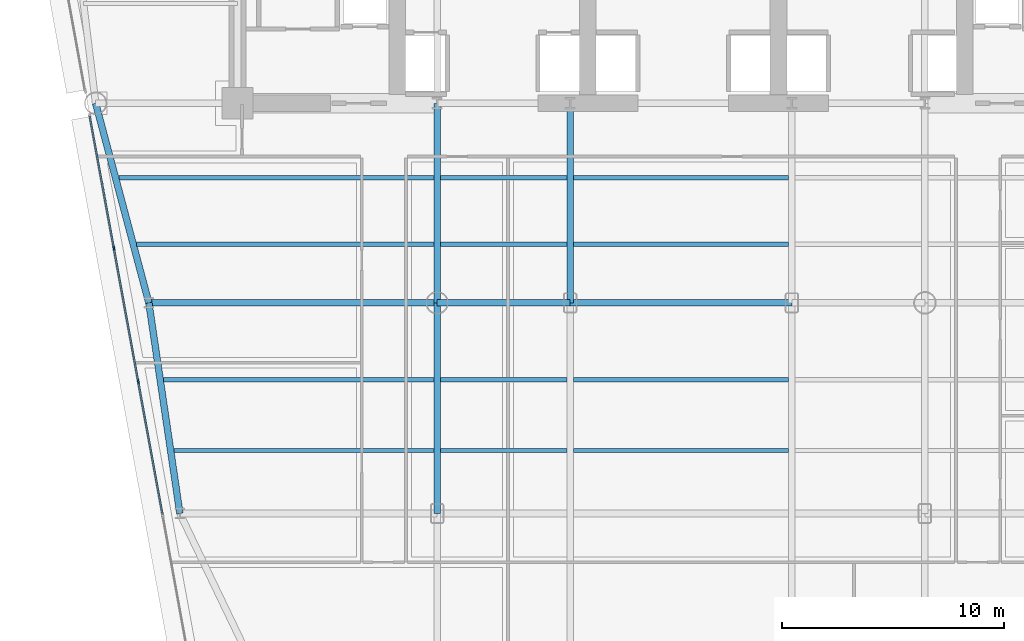
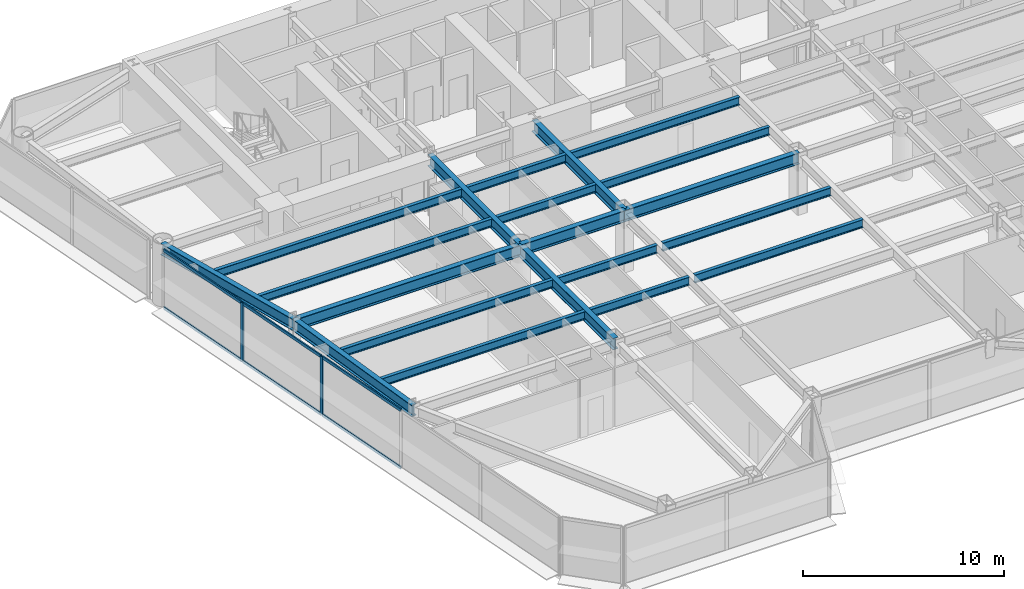
# One storey, part 3 of 14: 20 beams, 8 members, 1 element without a shape of its own.
"""IFC4 building model written with IfcOpenShell, lengths in metres."""

import ifcopenshell
import ifcopenshell.guid

model = None  # the IFC model being written
_history = None  # IfcOwnerHistory: only IFC2X3 demands one
_inside = {}  # id of a spatial element -> (the spatial element, [elements in it])
_under = {}  # id of a project, library or spatial element -> (it, [spatial elements below it])
_declared = {}  # id of a project -> (the project, [libraries it declares])
_typed = {}  # id of a type object -> (the type object, [elements of that type])
_made_of = {}  # id of a material, layer set ... -> (it, [elements and type objects made of it])


def new_model(schema):
    """Start an empty IFC model of exactly this schema.

    Asked for "IFC4X3", IfcOpenShell would pick the latest addendum, in which some entities
    have other attributes; the version numbers below select the first issue.
    IFC2X3 requires an IfcOwnerHistory on every rooted entity: one is made here for all.
    """
    global model, _history
    if schema == "IFC4X3":
        model = ifcopenshell.file(schema_version=(4, 3, 0, 0))
    else:
        model = ifcopenshell.file(schema=schema)
    _inside.clear()
    _under.clear()
    _declared.clear()
    _typed.clear()
    _made_of.clear()
    _history = None
    if model.schema == "IFC2X3":
        org = make("IfcOrganization", Name="unknown")
        user = make(
            "IfcPersonAndOrganization",
            ThePerson=make("IfcPerson", FamilyName="unknown"),
            TheOrganization=org,
        )
        app = make(
            "IfcApplication",
            ApplicationDeveloper=org,
            Version="unknown",
            ApplicationFullName="unknown",
            ApplicationIdentifier="unknown",
        )
        _history = make(
            "IfcOwnerHistory",
            OwningUser=user,
            OwningApplication=app,
            ChangeAction="ADDED",
            CreationDate=0,
        )
    return model


def make(cls, **values):
    """One entity of the class cls with the attributes given. An attribute that is None is left unset."""
    return model.create_entity(
        cls, **{name: value for name, value in values.items() if value is not None}
    )


def rooted(cls, **values):
    """An entity with a GlobalId (a new one), such as an element, a storey or a relation."""
    return make(cls, GlobalId=ifcopenshell.guid.new(), OwnerHistory=_history, **values)


def si_unit(unit_type, name, prefix=None):
    """IfcSIUnit, for example si_unit("LENGTHUNIT", "METRE", prefix="MILLI")."""
    return make("IfcSIUnit", UnitType=unit_type, Prefix=prefix, Name=name)


def assignment(units):
    """IfcUnitAssignment: the units of a project."""
    return None if units is None else make("IfcUnitAssignment", Units=units)


def point(xyz):
    """IfcCartesianPoint."""
    return None if xyz is None else make("IfcCartesianPoint", Coordinates=xyz)


def direction(xyz):
    """IfcDirection."""
    return None if xyz is None else make("IfcDirection", DirectionRatios=xyz)


def frame(location, z_axis=None, x_axis=None):
    """IfcAxis2Placement3D, a coordinate frame: its origin and axes. An axis left out is left unset."""
    return make(
        "IfcAxis2Placement3D",
        Location=point(location),
        Axis=direction(z_axis),
        RefDirection=direction(x_axis),
    )


def frame_2d(location, x_axis=None):
    """IfcAxis2Placement2D, a coordinate frame in the plane: its origin and x axis."""
    return make(
        "IfcAxis2Placement2D", Location=point(location), RefDirection=direction(x_axis)
    )


def origin():
    """The frame at (0, 0, 0) with its axes left unset."""
    return frame((0.0, 0.0, 0.0))


def origin_2d():
    """The frame at (0, 0) in the plane with its x axis left unset."""
    return frame_2d((0.0, 0.0))


def place(relative_to, where):
    """IfcLocalPlacement: puts the frame where relative to a parent placement (None: the world)."""
    return make(
        "IfcLocalPlacement", PlacementRelTo=relative_to, RelativePlacement=where
    )


def context(
    kind, dimensions, precision=None, world=None, true_north=None, identifier=None
):
    """IfcGeometricRepresentationContext, for example the 3D "Model" context."""
    return make(
        "IfcGeometricRepresentationContext",
        ContextIdentifier=identifier,
        ContextType=kind,
        CoordinateSpaceDimension=dimensions,
        Precision=precision,
        WorldCoordinateSystem=world,
        TrueNorth=true_north,
    )


def subcontext(parent, identifier, kind, view, scale=None):
    """IfcGeometricRepresentationSubContext, for example "Body" below "Model"."""
    return make(
        "IfcGeometricRepresentationSubContext",
        ContextIdentifier=identifier,
        ContextType=kind,
        ParentContext=parent,
        TargetScale=scale,
        TargetView=view,
    )


def project(units=None, contexts=None):
    """IfcProject with its units and contexts."""
    return rooted(
        "IfcProject",
        Name="project",
        RepresentationContexts=contexts,
        UnitsInContext=assignment(units),
    )


def spatial(cls, under=None, at=None, **own):
    """A site, building, storey or space (cls), placed at a placement, below another one or the project."""
    s = rooted(cls, ObjectPlacement=at, **own)
    if under is not None:
        _under.setdefault(under.id(), (under, []))[1].append(s)
    return s


def profile(cls, at=None, kind="AREA", **sizes):
    """A parametric profile (cls). Its sizes go by their IFC names, for example OverallWidth=200.0."""
    return make(cls, ProfileType=kind, Position=at, **sizes)


def rectangle(**sizes):
    """IfcRectangleProfileDef."""
    return profile("IfcRectangleProfileDef", **sizes)


def i_section(**sizes):
    """IfcIShapeProfileDef."""
    return profile("IfcIShapeProfileDef", **sizes)


def extrude(swept, where, along, depth):
    """IfcExtrudedAreaSolid: the profile swept, set in the frame where, extruded along a direction by depth."""
    return make(
        "IfcExtrudedAreaSolid",
        SweptArea=swept,
        Position=where,
        ExtrudedDirection=direction(along),
        Depth=depth,
    )


def shape(context_of_items, identifier, shape_type, items):
    """IfcShapeRepresentation: the items that make up one representation, for example the "Body"."""
    return make(
        "IfcShapeRepresentation",
        ContextOfItems=context_of_items,
        RepresentationIdentifier=identifier,
        RepresentationType=shape_type,
        Items=items,
    )


def source(mapping_origin, context_of_items, identifier, shape_type, items):
    """IfcRepresentationMap: a shape defined once, which mapped items show again and again."""
    return make(
        "IfcRepresentationMap",
        MappingOrigin=mapping_origin,
        MappedRepresentation=shape(context_of_items, identifier, shape_type, items),
    )


def transform(
    local_origin,
    x_axis=None,
    y_axis=None,
    z_axis=None,
    scale=None,
    scale2=None,
    scale3=None,
    uniform=True,
):
    """IfcCartesianTransformationOperator3D, or its non-uniform kind. x_axis, y_axis, z_axis: its Axis1, 2, 3."""
    if uniform:
        return make(
            "IfcCartesianTransformationOperator3D",
            Axis1=direction(x_axis),
            Axis2=direction(y_axis),
            LocalOrigin=point(local_origin),
            Scale=scale,
            Axis3=direction(z_axis),
        )
    return make(
        "IfcCartesianTransformationOperator3DnonUniform",
        Axis1=direction(x_axis),
        Axis2=direction(y_axis),
        LocalOrigin=point(local_origin),
        Scale=scale,
        Axis3=direction(z_axis),
        Scale2=scale2,
        Scale3=scale3,
    )


def mapped(mapping_source, mapping_target):
    """IfcMappedItem: shows the shape of a source again, moved by a transform."""
    return make(
        "IfcMappedItem", MappingSource=mapping_source, MappingTarget=mapping_target
    )


def material(Name=None, Category=None):
    """IfcMaterial."""
    return make("IfcMaterial", Name=Name, Category=Category)


def layer(
    of_material, thickness, ventilated=None, Name=None, Category=None, Priority=None
):
    """IfcMaterialLayer: one layer of a wall or slab, of a material (None: an air gap)."""
    return make(
        "IfcMaterialLayer",
        Material=of_material,
        LayerThickness=thickness,
        IsVentilated=ventilated,
        Name=Name,
        Category=Category,
        Priority=Priority,
    )


def layer_set(layers, Name=None):
    """IfcMaterialLayerSet."""
    return make("IfcMaterialLayerSet", MaterialLayers=layers, LayerSetName=Name)


def material_profile(
    of_material, cross_section, Name=None, Category=None, Priority=None
):
    """IfcMaterialProfile: a cross section and its material."""
    return make(
        "IfcMaterialProfile",
        Name=Name,
        Material=of_material,
        Profile=cross_section,
        Priority=Priority,
        Category=Category,
    )


def profile_set(profiles, Name=None, composite=None):
    """IfcMaterialProfileSet."""
    return make(
        "IfcMaterialProfileSet",
        Name=Name,
        MaterialProfiles=profiles,
        CompositeProfile=composite,
    )


def made_of(thing, what):
    """Note that an element or type object is made of a material, layer set ...; save() writes the relation."""
    if what is not None:
        _made_of.setdefault(what.id(), (what, []))[1].append(thing)
    return thing


def type_object(cls, material=None, **own):
    """A type object (cls), such as IfcWallType, which elements share."""
    return made_of(rooted(cls, **own), material)


def element(
    cls,
    number,
    at=None,
    inside=None,
    cuts=None,
    type_object=None,
    material=None,
    context=None,
    identifier="Body",
    shape_type=None,
    held_by="IfcProductDefinitionShape",
    body=None,
    shapes=None,
    **own,
):
    """One element of the class cls, such as IfcWall. Its Tag is "e" and its number.

    at: its placement. inside: the storey or other place that contains it. cuts: it is an
    opening in that element (IfcRelVoidsElement). A single representation is given by context,
    identifier, shape_type and body (its items); several are given by shapes. held_by: the class
    of the entity that holds the representations. save() writes the other relations.
    """
    e = rooted(cls, Tag="e%d" % number, ObjectPlacement=at, **own)
    if body is not None:
        shapes = [shape(context, identifier, shape_type, body)]
    if shapes is not None:
        e.Representation = make(held_by, Representations=shapes)
    if inside is not None:
        _inside.setdefault(inside.id(), (inside, []))[1].append(e)
    if cuts is not None:
        rooted(
            "IfcRelVoidsElement", RelatingBuildingElement=cuts, RelatedOpeningElement=e
        )
    if type_object is not None:
        _typed.setdefault(type_object.id(), (type_object, []))[1].append(e)
    return made_of(e, material)


def aggregate(whole, parts):
    """IfcRelAggregates: a whole, such as a stair, and the parts it consists of."""
    return rooted("IfcRelAggregates", RelatingObject=whole, RelatedObjects=parts)


def save(model, path):
    """Write the relations noted so far, then the file.

    IfcRelAggregates (storeys below a building ...), IfcRelContainedInSpatialStructure (elements
    in a storey), IfcRelDefinesByType, IfcRelAssociatesMaterial and IfcRelDeclares: one each for
    every whole, place, type object, material and project.
    """
    for whole, parts in _under.values():
        aggregate(whole, parts)
    for where, things in _inside.values():
        rooted(
            "IfcRelContainedInSpatialStructure",
            RelatedElements=things,
            RelatingStructure=where,
        )
    for kind, things in _typed.values():
        rooted("IfcRelDefinesByType", RelatedObjects=things, RelatingType=kind)
    for what, things in _made_of.values():
        rooted("IfcRelAssociatesMaterial", RelatedObjects=things, RelatingMaterial=what)
    for by, libraries in _declared.values():
        rooted("IfcRelDeclares", RelatingContext=by, RelatedDefinitions=libraries)
    model.write(path)


model = new_model("IFC4")

# Units and contexts
model_context = context("Model", 3, precision=1e-05, world=origin(), true_north=direction((0.0, 1.0)))
body_context = subcontext(model_context, "Body", "Model", "MODEL_VIEW")
ifc_project = project(units=[si_unit("LENGTHUNIT", "METRE"), si_unit("AREAUNIT", "SQUARE_METRE"), si_unit("VOLUMEUNIT", "CUBIC_METRE"), si_unit("PLANEANGLEUNIT", "RADIAN"), si_unit("MASSUNIT", "GRAM", prefix="KILO")], contexts=[model_context])

# Site, building, storey
site_placement = place(None, origin())
site = spatial("IfcSite", under=ifc_project, at=site_placement, CompositionType="ELEMENT")
building_placement = place(site_placement, origin())
building = spatial("IfcBuilding", under=site, at=building_placement, Name="Vaeldorn Concourse Tower", CompositionType="ELEMENT")
storey_placement = place(building_placement, frame((0.0, 0.0, 88.199951171875)))
storey = spatial("IfcBuildingStorey", under=building, at=storey_placement, Name="L22", CompositionType="ELEMENT", Elevation=88.199951171875)

# Beams
ifc_material_1 = material(Name="Steel S355", Category="steel")
ifc_material_profile_1 = material_profile(ifc_material_1, i_section(OverallWidth=0.199951171875, OverallDepth=0.5, WebThickness=0.01025390625, FlangeThickness=0.01611328125, FilletRadius=0.02099609375, at=origin_2d()), Name="IPE 500")
ifc_profile_set_1 = profile_set([ifc_material_profile_1], Name="Steel S355")
beam_type_1 = type_object("IfcBeamType", Name="BM-JS-IPE500", PredefinedType="JOIST", material=ifc_profile_set_1)
shared_shape_1 = source(origin(), body_context, "Body", "SweptSolid", [
    extrude(i_section(OverallWidth=0.199951171875, OverallDepth=0.5, WebThickness=0.01025390625, FlangeThickness=0.01611328125, FilletRadius=0.02099609375, at=origin_2d()), origin(), (0.0, 0.0, 1.0), 5.7001953125),
])
for number, where, z_axis, x_axis, name in (
    (1, (23.14990234375, 20.840087890625, 3.330078125), (1.0, 0.0, 0.0), (0.0, 1.0, 0.0), "Beam JS-L22-W2-208"),
    (2, (23.14990234375, 24.0400390625, 3.330078125), (1.0, 0.0, 0.0), (0.0, 1.0, 0.0), "Beam JS-L22-W2-240"),
    (3, (23.14990234375, 30.139892578125, 3.330078125), (1.0, 0.0, 0.0), (0.0, 1.0, 0.0), "Beam JS-L22-W2-301"),
    (4, (23.14990234375, 33.139892578125, 3.330078125), (1.0, 0.0, 0.0), (0.0, 1.0, 0.0), "Beam JS-L22-W2-331"),
):
    element("IfcBeam", number, at=place(storey_placement, frame(where, z_axis=z_axis, x_axis=x_axis)), inside=storey, type_object=beam_type_1, Name=name, PredefinedType="JOIST", context=body_context, shape_type="MappedRepresentation", body=[
        mapped(shared_shape_1, transform((0.0, 0.0, 0.0), scale=1.0)),
    ])
shared_shape_2 = source(origin(), body_context, "Body", "SweptSolid", [
    extrude(i_section(OverallWidth=0.199951171875, OverallDepth=0.5, WebThickness=0.01025390625, FlangeThickness=0.01611328125, FilletRadius=0.02099609375, at=origin_2d()), origin(), (0.0, 0.0, 1.0), 9.7001953125),
])
for number, where, z_axis, x_axis, name in (
    (5, (29.14990234375, 20.840087890625, 3.330078125), (1.0, 0.0, 0.0), (0.0, 1.0, 0.0), "Beam JS-L22-C-208"),
    (6, (29.14990234375, 24.0400390625, 3.330078125), (1.0, 0.0, 0.0), (0.0, 1.0, 0.0), "Beam JS-L22-C-240"),
    (7, (29.14990234375, 30.139892578125, 3.330078125), (1.0, 0.0, 0.0), (0.0, 1.0, 0.0), "Beam JS-L22-C-301"),
    (8, (29.14990234375, 33.139892578125, 3.330078125), (1.0, 0.0, 0.0), (0.0, 1.0, 0.0), "Beam JS-L22-C-331"),
):
    element("IfcBeam", number, at=place(storey_placement, frame(where, z_axis=z_axis, x_axis=x_axis)), inside=storey, type_object=beam_type_1, Name=name, PredefinedType="JOIST", context=body_context, shape_type="MappedRepresentation", body=[
        mapped(shared_shape_2, transform((0.0, 0.0, 0.0), scale=1.0)),
    ])
shared_shape_3 = source(origin(), body_context, "Body", "SweptSolid", [
    extrude(i_section(OverallWidth=0.199951171875, OverallDepth=0.5, WebThickness=0.01025390625, FlangeThickness=0.01611328125, FilletRadius=0.02099609375, at=origin_2d()), origin(), (0.0, 0.0, 1.0), 11.718505859375),
])
beam_1_placement = place(storey_placement, frame((11.131591796875, 20.840087890625, 3.330078125), z_axis=(1.0, 0.0, 0.0), x_axis=(0.0, 1.0, 0.0)))
element("IfcBeam", 9, at=beam_1_placement, inside=storey, type_object=beam_type_1, Name="Beam JS-L22-W1-208", PredefinedType="JOIST", context=body_context, shape_type="MappedRepresentation", body=[
    mapped(shared_shape_3, transform((0.0, 0.0, 0.0), scale=1.0)),
])
shared_shape_4 = source(origin(), body_context, "Body", "SweptSolid", [
    extrude(i_section(OverallWidth=0.199951171875, OverallDepth=0.5, WebThickness=0.01025390625, FlangeThickness=0.01611328125, FilletRadius=0.02099609375, at=origin_2d()), origin(), (0.0, 0.0, 1.0), 12.190185546875),
])
beam_2_placement = place(storey_placement, frame((10.659912109375, 24.0400390625, 3.330078125), z_axis=(1.0, 0.0, 0.0), x_axis=(0.0, 1.0, 0.0)))
element("IfcBeam", 10, at=beam_2_placement, inside=storey, type_object=beam_type_1, Name="Beam JS-L22-W1-240", PredefinedType="JOIST", context=body_context, shape_type="MappedRepresentation", body=[
    mapped(shared_shape_4, transform((0.0, 0.0, 0.0), scale=1.0)),
])
shared_shape_5 = source(origin(), body_context, "Body", "SweptSolid", [
    extrude(i_section(OverallWidth=0.199951171875, OverallDepth=0.5, WebThickness=0.01025390625, FlangeThickness=0.01611328125, FilletRadius=0.02099609375, at=origin_2d()), origin(), (0.0, 0.0, 1.0), 13.404052734375),
])
beam_3_placement = place(storey_placement, frame((9.446044921875, 30.139892578125, 3.330078125), z_axis=(1.0, 0.0, 0.0), x_axis=(0.0, 1.0, 0.0)))
element("IfcBeam", 11, at=beam_3_placement, inside=storey, type_object=beam_type_1, Name="Beam JS-L22-W1-301", PredefinedType="JOIST", context=body_context, shape_type="MappedRepresentation", body=[
    mapped(shared_shape_5, transform((0.0, 0.0, 0.0), scale=1.0)),
])
shared_shape_6 = source(origin(), body_context, "Body", "SweptSolid", [
    extrude(i_section(OverallWidth=0.199951171875, OverallDepth=0.5, WebThickness=0.01025390625, FlangeThickness=0.01611328125, FilletRadius=0.02099609375, at=origin_2d()), origin(), (0.0, 0.0, 1.0), 14.2041015625),
])
beam_4_placement = place(storey_placement, frame((8.64599609375, 33.139892578125, 3.330078125), z_axis=(1.0, 0.0, 0.0), x_axis=(0.0, 1.0, 0.0)))
element("IfcBeam", 12, at=beam_4_placement, inside=storey, type_object=beam_type_1, Name="Beam JS-L22-W1-331", PredefinedType="JOIST", context=body_context, shape_type="MappedRepresentation", body=[
    mapped(shared_shape_6, transform((0.0, 0.0, 0.0), scale=1.0)),
])
ifc_material_profile_2 = material_profile(ifc_material_1, i_section(OverallWidth=0.300048828125, OverallDepth=0.699951171875, WebThickness=0.01708984375, FlangeThickness=0.031982421875, FilletRadius=0.027099609375, at=origin_2d()), Name="HEB 700")
ifc_profile_set_2 = profile_set([ifc_material_profile_2], Name="Steel S355")
beam_type_2 = type_object("IfcBeamType", Name="BM-PG-HEB700", PredefinedType="BEAM", material=ifc_profile_set_2)
shared_shape_7 = source(origin(), body_context, "Body", "SweptSolid", [
    extrude(i_section(OverallWidth=0.300048828125, OverallDepth=0.699951171875, WebThickness=0.01708984375, FlangeThickness=0.031982421875, FilletRadius=0.027099609375, at=origin_2d()), origin(), (0.0, 0.0, 1.0), 6.0),
])
beam_5_placement = place(storey_placement, frame((23.0, 27.5, 3.22998046875), z_axis=(1.0, 0.0, 0.0), x_axis=(0.0, 1.0, 0.0)))
element("IfcBeam", 13, at=beam_5_placement, inside=storey, type_object=beam_type_2, Name="Beam BM-L22-C-TW1-C-TW2", PredefinedType="BEAM", context=body_context, shape_type="MappedRepresentation", body=[
    mapped(shared_shape_7, transform((0.0, 0.0, 0.0), scale=1.0)),
])
shared_shape_8 = source(origin(), body_context, "Body", "SweptSolid", [
    extrude(i_section(OverallWidth=0.300048828125, OverallDepth=0.699951171875, WebThickness=0.01708984375, FlangeThickness=0.031982421875, FilletRadius=0.027099609375, at=origin_2d()), origin(), (0.0, 0.0, 1.0), 10.0),
])
beam_6_placement = place(storey_placement, frame((29.0, 27.5, 3.22998046875), z_axis=(1.0, 0.0, 0.0), x_axis=(0.0, 1.0, 0.0)))
element("IfcBeam", 14, at=beam_6_placement, inside=storey, type_object=beam_type_2, Name="Beam BM-L22-C-TW2-C-TW3", PredefinedType="BEAM", context=body_context, shape_type="MappedRepresentation", body=[
    mapped(shared_shape_8, transform((0.0, 0.0, 0.0), scale=1.0)),
])
shared_shape_9 = source(origin(), body_context, "Body", "SweptSolid", [
    extrude(i_section(OverallWidth=0.300048828125, OverallDepth=0.699951171875, WebThickness=0.01708984375, FlangeThickness=0.031982421875, FilletRadius=0.027099609375, at=origin_2d()), origin(), (0.0, 0.0, 1.0), 9.0),
])
for number, where, z_axis, x_axis, name in (
    (15, (23.0, 27.5, 3.22998046875), (0.0, 1.0, 0.0), (-1.0, 0.0, 0.0), "Beam BM-L22-C-TW1-C-FC2"),
    (16, (29.0, 27.5, 3.22998046875), (0.0, 1.0, 0.0), (-1.0, 0.0, 0.0), "Beam BM-L22-C-TW2-C-FC3"),
):
    element("IfcBeam", number, at=place(storey_placement, frame(where, z_axis=z_axis, x_axis=x_axis)), inside=storey, type_object=beam_type_2, Name=name, PredefinedType="BEAM", context=body_context, shape_type="MappedRepresentation", body=[
        mapped(shared_shape_9, transform((0.0, 0.0, 0.0), scale=1.0)),
    ])
shared_shape_10 = source(origin(), body_context, "Body", "SweptSolid", [
    extrude(i_section(OverallWidth=0.300048828125, OverallDepth=0.699951171875, WebThickness=0.01708984375, FlangeThickness=0.031982421875, FilletRadius=0.027099609375, at=origin_2d()), origin(), (0.0, 0.0, 1.0), 9.314453125),
])
beam_7_placement = place(storey_placement, frame((7.60009765625, 36.5, 3.22998046875), z_axis=(0.257652862255, -0.966237549763, 0.0), x_axis=(0.966237549763, 0.257652862255, 0.0)))
element("IfcBeam", 17, at=beam_7_placement, inside=storey, type_object=beam_type_2, Name="Beam BM-L22-C-NW2-C-FLW1", PredefinedType="BEAM", context=body_context, shape_type="MappedRepresentation", body=[
    mapped(shared_shape_10, transform((0.0, 0.0, 0.0), scale=1.0)),
])
shared_shape_11 = source(origin(), body_context, "Body", "SweptSolid", [
    extrude(i_section(OverallWidth=0.300048828125, OverallDepth=0.699951171875, WebThickness=0.01708984375, FlangeThickness=0.031982421875, FilletRadius=0.027099609375, at=origin_2d()), origin(), (0.0, 0.0, 1.0), 13.0),
])
beam_8_placement = place(storey_placement, frame((10.0, 27.5, 3.22998046875), z_axis=(1.0, 0.0, 0.0), x_axis=(0.0, 1.0, 0.0)))
element("IfcBeam", 18, at=beam_8_placement, inside=storey, type_object=beam_type_2, Name="Beam BM-L22-C-FLW1-C-TW1", PredefinedType="BEAM", context=body_context, shape_type="MappedRepresentation", body=[
    mapped(shared_shape_11, transform((0.0, 0.0, 0.0), scale=1.0)),
])
shared_shape_12 = source(origin(), body_context, "Body", "SweptSolid", [
    extrude(i_section(OverallWidth=0.300048828125, OverallDepth=0.699951171875, WebThickness=0.01708984375, FlangeThickness=0.031982421875, FilletRadius=0.027099609375, at=origin_2d()), origin(), (0.0, 0.0, 1.0), 9.6025390625),
])
beam_9_placement = place(storey_placement, frame((10.0, 27.5, 3.22998046875), z_axis=(0.145783835977, -0.989316467652, 0.0), x_axis=(0.989316467652, 0.145783835977, 0.0)))
element("IfcBeam", 19, at=beam_9_placement, inside=storey, type_object=beam_type_2, Name="Beam BM-L22-C-FLW1-C-FLW2", PredefinedType="BEAM", context=body_context, shape_type="MappedRepresentation", body=[
    mapped(shared_shape_12, transform((0.0, 0.0, 0.0), scale=1.0)),
])
shared_shape_13 = source(origin(), body_context, "Body", "SweptSolid", [
    extrude(i_section(OverallWidth=0.300048828125, OverallDepth=0.699951171875, WebThickness=0.01708984375, FlangeThickness=0.031982421875, FilletRadius=0.027099609375, at=origin_2d()), origin(), (0.0, 0.0, 1.0), 9.5),
])
beam_10_placement = place(storey_placement, frame((23.0, 18.0, 3.22998046875), z_axis=(0.0, 1.0, 0.0), x_axis=(-1.0, 0.0, 0.0)))
element("IfcBeam", 20, at=beam_10_placement, inside=storey, type_object=beam_type_2, Name="Beam BM-L22-C-TW5-C-TW1", PredefinedType="BEAM", context=body_context, shape_type="MappedRepresentation", body=[
    mapped(shared_shape_13, transform((0.0, 0.0, 0.0), scale=1.0)),
])

# Curtain wall, members
ifc_material_2 = material(Name="Anodised Bronze Aluminium", Category="aluminium")
ifc_layer = layer(ifc_material_2, 0.199951171875)
ifc_layer_set = layer_set([ifc_layer], Name="Anodised Bronze Aluminium")
curtain_wall_type = type_object("IfcCurtainWallType", Name="CW-SYS-02", PredefinedType="NOTDEFINED", material=ifc_layer_set)
curtain_wall_placement = place(storey_placement, origin())
curtain_wall = element("IfcCurtainWall", 21, at=curtain_wall_placement, inside=storey, type_object=curtain_wall_type, Name="Unitised Curtain Wall CW-L22-E11-2", PredefinedType="NOTDEFINED")
ifc_material_profile_3 = material_profile(ifc_material_2, rectangle(XDim=0.074951171875, YDim=0.18994140625, at=origin_2d()), Name="CWM 75x190")
ifc_profile_set_3 = profile_set([ifc_material_profile_3], Name="Anodised Bronze Aluminium")
member_type_1 = type_object("IfcMemberType", Name="CWM-BRONZE-190", PredefinedType="MULLION", material=ifc_profile_set_3)
shared_shape_14 = source(origin(), body_context, "Body", "SweptSolid", [
    extrude(rectangle(XDim=0.074951171875, YDim=0.18994140625, at=origin_2d()), origin(), (0.0, 0.0, 1.0), 3.580078125),
])
member_1_placement = place(storey_placement, frame((8.423828125, 29.962890625, 0.0), z_axis=(0.0, 0.0, 1.0), x_axis=(0.983711798531, 0.179752878786, 0.0)))
member_1 = element("IfcMember", 22, at=member_1_placement, type_object=member_type_1, Name="CW-02 mullion 2", PredefinedType="MULLION", context=body_context, shape_type="MappedRepresentation", body=[
    mapped(shared_shape_14, transform((0.0, 0.0, 0.0), scale=1.0)),
])
member_2_placement = place(storey_placement, frame((9.523681640625, 23.943603515625, 0.0), z_axis=(0.0, 0.0, 1.0), x_axis=(0.983711798531, 0.179752878786, 0.0)))
member_2 = element("IfcMember", 23, at=member_2_placement, type_object=member_type_1, Name="CW-02 mullion 3", PredefinedType="MULLION", context=body_context, shape_type="MappedRepresentation", body=[
    mapped(shared_shape_14, transform((0.0, 0.0, 0.0), scale=1.0)),
])
ifc_material_profile_4 = material_profile(ifc_material_2, rectangle(XDim=0.074951171875, YDim=0.179931640625, at=origin_2d()), Name="CWT 75x180")
ifc_profile_set_4 = profile_set([ifc_material_profile_4], Name="Anodised Bronze Aluminium")
member_type_2 = type_object("IfcMemberType", Name="CWT-BRONZE-180", PredefinedType="USERDEFINED", material=ifc_profile_set_4)
shared_shape_15 = source(origin(), body_context, "Body", "SweptSolid", [
    extrude(rectangle(XDim=0.074951171875, YDim=0.179931640625, at=origin_2d()), origin(), (0.0, 0.0, 1.0), 6.00634765625),
])
member_3_placement = place(storey_placement, frame((7.33740234375, 35.908203125, 0.03759765625), z_axis=(0.179743848184, -0.983713448642, 0.0), x_axis=(0.983713448642, 0.179743848184, 0.0)))
member_3 = element("IfcMember", 24, at=member_3_placement, type_object=member_type_2, Name="CW-02 transom 1.1", ObjectType="TRANSOM", PredefinedType="USERDEFINED", context=body_context, shape_type="MappedRepresentation", body=[
    mapped(shared_shape_15, transform((0.0, 0.0, 0.0), scale=1.0)),
])
member_4_placement = place(storey_placement, frame((7.33740234375, 35.908203125, 3.54248046875), z_axis=(0.179743848184, -0.983713448642, 0.0), x_axis=(0.983713448642, 0.179743848184, 0.0)))
member_4 = element("IfcMember", 25, at=member_4_placement, type_object=member_type_2, Name="CW-02 transom 1.2", ObjectType="TRANSOM", PredefinedType="USERDEFINED", context=body_context, shape_type="MappedRepresentation", body=[
    mapped(shared_shape_15, transform((0.0, 0.0, 0.0), scale=1.0)),
])
shared_shape_16 = source(origin(), body_context, "Body", "SweptSolid", [
    extrude(rectangle(XDim=0.074951171875, YDim=0.179931640625, at=origin_2d()), origin(), (0.0, 0.0, 1.0), 6.043701171875),
])
member_5_placement = place(storey_placement, frame((9.530517578125, 23.90673828125, 0.03759765625), z_axis=(0.179720758136, -0.98371766737, 0.0), x_axis=(0.98371766737, 0.179720758136, 0.0)))
member_5 = element("IfcMember", 26, at=member_5_placement, type_object=member_type_2, Name="CW-02 transom 3.1", ObjectType="TRANSOM", PredefinedType="USERDEFINED", context=body_context, shape_type="MappedRepresentation", body=[
    mapped(shared_shape_16, transform((0.0, 0.0, 0.0), scale=1.0)),
])
member_6_placement = place(storey_placement, frame((9.530517578125, 23.90673828125, 3.54248046875), z_axis=(0.179720758136, -0.98371766737, 0.0), x_axis=(0.98371766737, 0.179720758136, 0.0)))
member_6 = element("IfcMember", 27, at=member_6_placement, type_object=member_type_2, Name="CW-02 transom 3.2", ObjectType="TRANSOM", PredefinedType="USERDEFINED", context=body_context, shape_type="MappedRepresentation", body=[
    mapped(shared_shape_16, transform((0.0, 0.0, 0.0), scale=1.0)),
])
shared_shape_17 = source(origin(), body_context, "Body", "SweptSolid", [
    extrude(rectangle(XDim=0.074951171875, YDim=0.179931640625, at=origin_2d()), origin(), (0.0, 0.0, 1.0), 6.0439453125),
])
member_7_placement = place(storey_placement, frame((8.430419921875, 29.926025390625, 0.03759765625), z_axis=(0.179752705791, -0.983711830142, 0.0), x_axis=(0.983711830142, 0.179752705791, 0.0)))
member_7 = element("IfcMember", 28, at=member_7_placement, type_object=member_type_2, Name="CW-02 transom 2.1", ObjectType="TRANSOM", PredefinedType="USERDEFINED", context=body_context, shape_type="MappedRepresentation", body=[
    mapped(shared_shape_17, transform((0.0, 0.0, 0.0), scale=1.0)),
])
member_8_placement = place(storey_placement, frame((8.430419921875, 29.926025390625, 3.54248046875), z_axis=(0.179752705791, -0.983711830142, 0.0), x_axis=(0.983711830142, 0.179752705791, 0.0)))
member_8 = element("IfcMember", 29, at=member_8_placement, type_object=member_type_2, Name="CW-02 transom 2.2", ObjectType="TRANSOM", PredefinedType="USERDEFINED", context=body_context, shape_type="MappedRepresentation", body=[
    mapped(shared_shape_17, transform((0.0, 0.0, 0.0), scale=1.0)),
])
aggregate(curtain_wall, [member_1, member_2, member_3, member_4, member_7, member_8, member_5, member_6])

save(model, "model.ifc")
